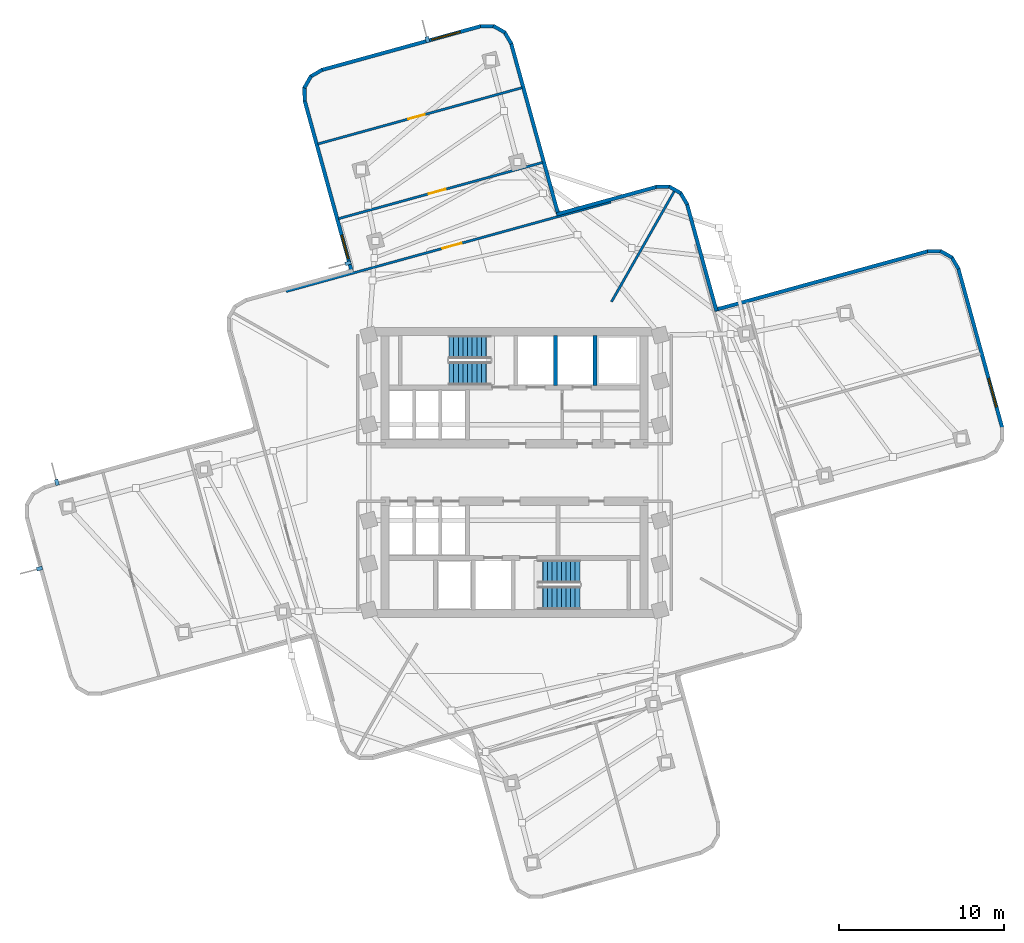
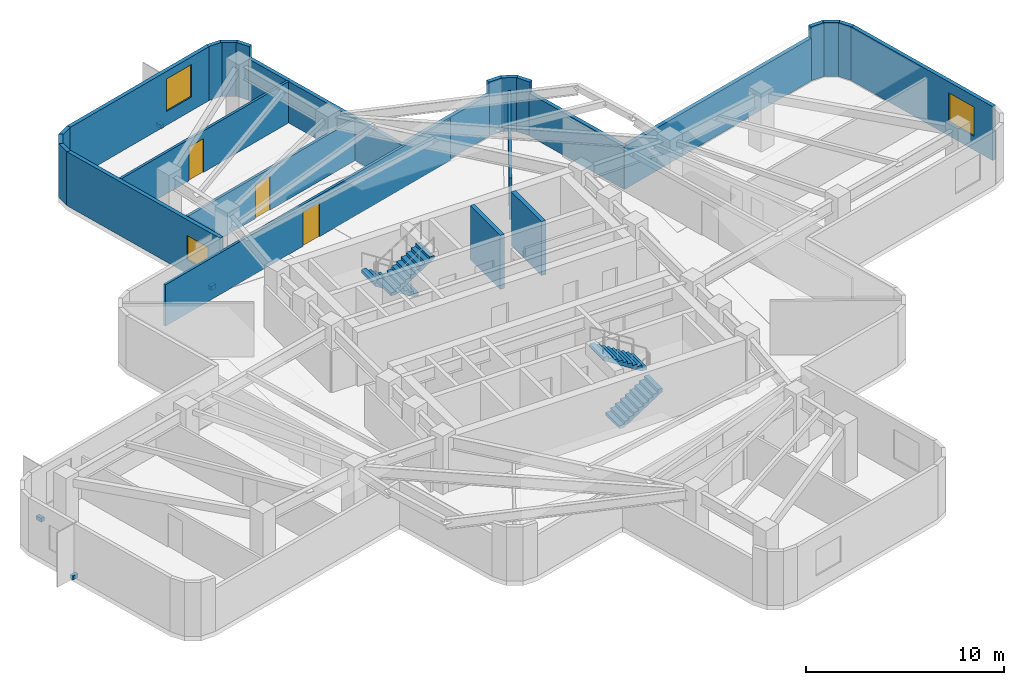
# One storey, part 5 of 8: 25 walls, 4 discrete accessories, 4 stair flights, 3 doors, 3 windows, 6 openings, 2 elements without a shape of their own.
"""IFC4 building model written with IfcOpenShell, lengths in metres."""

from ifc_helpers import new_model, si_unit, direction, frame, frame_2d, origin, origin_2d, place, context, subcontext, project, spatial, polyline, rectangle, outline, extrude, material, layer, layer_set, type_object, element, fill, aggregate, save


model = new_model("IFC4")

# Units and contexts
model_context = context("Model", 3, precision=1e-05, world=origin(), true_north=direction((0.0, 1.0)))
body_context = subcontext(model_context, "Body", "Model", "MODEL_VIEW")
ifc_project = project(units=[si_unit("LENGTHUNIT", "METRE"), si_unit("AREAUNIT", "SQUARE_METRE"), si_unit("VOLUMEUNIT", "CUBIC_METRE"), si_unit("PLANEANGLEUNIT", "RADIAN"), si_unit("MASSUNIT", "GRAM", prefix="KILO")], contexts=[model_context])

# Site, building, storey
site_placement = place(None, origin())
site = spatial("IfcSite", under=ifc_project, at=site_placement, CompositionType="ELEMENT")
building_placement = place(site_placement, origin())
building = spatial("IfcBuilding", under=site, at=building_placement, Name="Solmarez Civic Tower", CompositionType="ELEMENT")
storey_placement = place(building_placement, frame((0.0, 0.0, 137.8798828125)))
storey = spatial("IfcBuildingStorey", under=building, at=storey_placement, Name="L36", CompositionType="ELEMENT", Elevation=137.8798828125)

# Wall, opening, window
ifc_material_1 = material(Name="Precast concrete C40/50", Category="concrete")
ifc_layer_1 = layer(ifc_material_1, 0.219970703125)
ifc_layer_set_1 = layer_set([ifc_layer_1], Name="Precast concrete C40/50")
wall_type_1 = type_object("IfcWallType", Name="WALL-EXT-220", PredefinedType="SOLIDWALL", material=ifc_layer_set_1)
wall_1_placement = place(storey_placement, frame((-9.8759765625, 12.166015625, 0.0), z_axis=(0.0, 0.0, 1.0), x_axis=(-0.265506061674, 0.964109190504, 0.0)))
wall_1 = element("IfcWall", 1, at=wall_1_placement, inside=storey, type_object=wall_type_1, Name="L36 Exterior Precast Wall 20", PredefinedType="SOLIDWALL", context=body_context, shape_type="SweptSolid", body=[
    extrude(rectangle(XDim=10.858642578125, YDim=0.219970703125, at=frame_2d((5.42919921875, 0.0))), origin(), (0.0, 0.0, 1.0), 3.320068359375),
])
opening_1_placement = place(wall_1_placement, frame((0.85009765625, 0.0, 0.85009765625)))
opening_1 = element("IfcOpeningElement", 2, at=opening_1_placement, cuts=wall_1, Name="Opening W-14", PredefinedType="OPENING", context=body_context, shape_type="SweptSolid", body=[
    extrude(rectangle(XDim=1.5, YDim=1.5, at=frame_2d((0.75, 0.75))), frame((0.0, 0.119873046875, 0.0), z_axis=(0.0, -1.0, 0.0), x_axis=(1.0, 0.0, 0.0)), (0.0, 0.0, 1.0), 0.239990234375),
])
ifc_material_2 = material(Name="Solar Control Bronze-Tinted Insulating Glass", Category="glass")
window_type_1 = type_object("IfcWindowType", Name="WIN-1500X1500", PartitioningType="SINGLE_PANEL", PredefinedType="WINDOW", material=ifc_material_2)
window_1_placement = place(opening_1_placement, origin())
window_1 = element("IfcWindow", 3, at=window_1_placement, inside=storey, type_object=window_type_1, Name="L36 Exterior Facade Window 20", OverallHeight=1.5, OverallWidth=1.5, PartitioningType="SINGLE_PANEL", PredefinedType="WINDOW", context=body_context, shape_type="SweptSolid", body=[
    extrude(rectangle(XDim=1.5, YDim=1.5, at=frame_2d((0.75, 0.75))), frame((0.0, 0.030029296875, 0.0), z_axis=(0.0, -1.0, 0.0), x_axis=(1.0, 0.0, 0.0)), (0.0, 0.0, 1.0), 0.06005859375),
])
fill(opening_1, window_1)

# Walls
wall_2_placement = place(storey_placement, frame((-12.751953125, 22.5859375, 0.0), z_axis=(0.0, 0.0, 1.0), x_axis=(-0.007318305188, 0.999973220846, 0.0)))
element("IfcWall", 4, at=wall_2_placement, inside=storey, type_object=wall_type_1, Name="L36 Exterior Precast Wall 21", PredefinedType="SOLIDWALL", context=body_context, shape_type="SweptSolid", body=[
    extrude(rectangle(XDim=0.833984375, YDim=0.219970703125, at=frame_2d((0.4169921875, 0.0))), origin(), (0.0, 0.0, 1.0), 3.320068359375),
])
wall_3_placement = place(storey_placement, frame((-12.77001953125, 23.373046875, 0.0), z_axis=(0.0, 0.0, 1.0), x_axis=(0.493087743786, 0.869979584202, 0.0)))
element("IfcWall", 5, at=wall_3_placement, inside=storey, type_object=wall_type_1, Name="L36 Exterior Precast Wall 22", PredefinedType="SOLIDWALL", context=body_context, shape_type="SweptSolid", body=[
    extrude(rectangle(XDim=0.8193359375, YDim=0.219970703125, at=frame_2d((0.40966796875, 0.0))), origin(), (0.0, 0.0, 1.0), 3.320068359375),
])
wall_4_placement = place(storey_placement, frame((-12.39990234375, 24.051025390625, 0.0), z_axis=(0.0, 0.0, 1.0), x_axis=(0.862451814289, 0.506139178517, 0.0)))
element("IfcWall", 6, at=wall_4_placement, inside=storey, type_object=wall_type_1, Name="L36 Exterior Precast Wall 23", PredefinedType="SOLIDWALL", context=body_context, shape_type="SweptSolid", body=[
    extrude(rectangle(XDim=0.8359375, YDim=0.219970703125, at=frame_2d((0.41796875, 0.0))), origin(), (0.0, 0.0, 1.0), 3.320068359375),
])

# Wall, opening, window
wall_5_placement = place(storey_placement, frame((-11.72509765625, 24.4541015625, 0.0), z_axis=(0.0, 0.0, 1.0), x_axis=(0.964088658865, 0.265580605181, 0.0)))
wall_5 = element("IfcWall", 7, at=wall_5_placement, inside=storey, type_object=wall_type_1, Name="L36 Exterior Precast Wall 24", PredefinedType="SOLIDWALL", context=body_context, shape_type="SweptSolid", body=[
    extrude(rectangle(XDim=10.060546875, YDim=0.219970703125, at=frame_2d((5.0302734375, 0.0))), origin(), (0.0, 0.0, 1.0), 3.320068359375),
])
opening_2_placement = place(wall_5_placement, frame((6.947021484375, 0.0, 0.85009765625)))
opening_2 = element("IfcOpeningElement", 8, at=opening_2_placement, cuts=wall_5, Name="Opening W-04", PredefinedType="OPENING", context=body_context, shape_type="SweptSolid", body=[
    extrude(rectangle(XDim=1.800048828125, YDim=2.0, at=frame_2d((0.89990234375, 1.0))), frame((0.0, 0.119873046875, 0.0), z_axis=(0.0, -1.0, 0.0), x_axis=(1.0, 0.0, 0.0)), (0.0, 0.0, 1.0), 0.239990234375),
])
window_type_2 = type_object("IfcWindowType", Name="WIN-1800X2000", PartitioningType="SINGLE_PANEL", PredefinedType="WINDOW", material=ifc_material_2)
window_2_placement = place(opening_2_placement, origin())
window_2 = element("IfcWindow", 9, at=window_2_placement, inside=storey, type_object=window_type_2, Name="L36 Exterior Facade Window 24", OverallHeight=2.0, OverallWidth=1.800048828125, PartitioningType="SINGLE_PANEL", PredefinedType="WINDOW", context=body_context, shape_type="SweptSolid", body=[
    extrude(rectangle(XDim=1.800048828125, YDim=2.0, at=frame_2d((0.89990234375, 1.0))), frame((0.0, 0.030029296875, 0.0), z_axis=(0.0, -1.0, 0.0), x_axis=(1.0, 0.0, 0.0)), (0.0, 0.0, 1.0), 0.06005859375),
])
fill(opening_2, window_2)

# Walls
wall_6_placement = place(storey_placement, frame((-2.074951171875, 27.118896484375, 0.0), z_axis=(0.0, 0.0, 1.0), x_axis=(0.999973220846, 0.007318305188, 0.0)))
element("IfcWall", 10, at=wall_6_placement, inside=storey, type_object=wall_type_1, Name="L36 Exterior Precast Wall 25", PredefinedType="SOLIDWALL", context=body_context, shape_type="SweptSolid", body=[
    extrude(rectangle(XDim=0.833984375, YDim=0.219970703125, at=frame_2d((0.4169921875, 0.0))), origin(), (0.0, 0.0, 1.0), 3.320068359375),
])
wall_7_placement = place(storey_placement, frame((-1.2880859375, 27.136962890625, 0.0), z_axis=(0.0, 0.0, 1.0), x_axis=(0.87005199541, -0.492959963164, 0.0)))
element("IfcWall", 11, at=wall_7_placement, inside=storey, type_object=wall_type_1, Name="L36 Exterior Precast Wall 26", PredefinedType="SOLIDWALL", context=body_context, shape_type="SweptSolid", body=[
    extrude(rectangle(XDim=0.819580078125, YDim=0.219970703125, at=frame_2d((0.40966796875, 0.0))), origin(), (0.0, 0.0, 1.0), 3.320068359375),
])
wall_8_placement = place(storey_placement, frame((-0.610107421875, 26.76708984375, 0.0), z_axis=(0.0, 0.0, 1.0), x_axis=(0.506011715077, -0.862526604926, 0.0)))
element("IfcWall", 12, at=wall_8_placement, inside=storey, type_object=wall_type_1, Name="L36 Exterior Precast Wall 27", PredefinedType="SOLIDWALL", context=body_context, shape_type="SweptSolid", body=[
    extrude(rectangle(XDim=0.836181640625, YDim=0.219970703125, at=frame_2d((0.41796875, 0.0))), origin(), (0.0, 0.0, 1.0), 3.320068359375),
])
wall_9_placement = place(storey_placement, frame((-0.20703125, 26.092041015625, 0.0), z_axis=(0.0, 0.0, 1.0), x_axis=(0.265529084478, -0.964102849958, 0.0)))
element("IfcWall", 13, at=wall_9_placement, inside=storey, type_object=wall_type_1, Name="L36 Exterior Precast Wall 28", PredefinedType="SOLIDWALL", context=body_context, shape_type="SweptSolid", body=[
    extrude(rectangle(XDim=10.857666015625, YDim=0.219970703125, at=frame_2d((5.4287109375, 0.0))), origin(), (0.0, 0.0, 1.0), 2.550048828125),
])
wall_10_placement = place(storey_placement, frame((2.568115234375, 15.68603515625, 0.0), z_axis=(0.0, 0.0, 1.0), x_axis=(0.964094670911, 0.265558779784, 0.0)))
element("IfcWall", 14, at=wall_10_placement, inside=storey, type_object=wall_type_1, Name="L36 Exterior Precast Wall 31", PredefinedType="SOLIDWALL", context=body_context, shape_type="SweptSolid", body=[
    extrude(rectangle(XDim=6.318603515625, YDim=0.219970703125, at=frame_2d((3.1591796875, 0.0))), origin(), (0.0, 0.0, 1.0), 2.550048828125),
])
wall_11_placement = place(storey_placement, frame((8.611083984375, 17.35693359375, 0.0), z_axis=(0.0, 0.0, 1.0), x_axis=(0.999981148579, 0.006140235123, 0.0)))
element("IfcWall", 15, at=wall_11_placement, inside=storey, type_object=wall_type_1, Name="L36 Exterior Precast Wall 32", PredefinedType="SOLIDWALL", context=body_context, shape_type="SweptSolid", body=[
    extrude(rectangle(XDim=0.8349609375, YDim=0.219970703125, at=frame_2d((0.41748046875, 0.0))), origin(), (0.0, 0.0, 1.0), 3.320068359375),
])
wall_12_placement = place(storey_placement, frame((9.39892578125, 17.3740234375, 0.0), z_axis=(0.0, 0.0, 1.0), x_axis=(0.87005199541, -0.492959963164, 0.0)))
element("IfcWall", 16, at=wall_12_placement, inside=storey, type_object=wall_type_1, Name="L36 Exterior Precast Wall 33", PredefinedType="SOLIDWALL", context=body_context, shape_type="SweptSolid", body=[
    extrude(rectangle(XDim=0.819580078125, YDim=0.219970703125, at=frame_2d((0.40966796875, 0.0))), origin(), (0.0, 0.0, 1.0), 3.320068359375),
])
wall_13_placement = place(storey_placement, frame((10.076904296875, 17.00390625, 0.0), z_axis=(0.0, 0.0, 1.0), x_axis=(0.505779557172, -0.862662761192, 0.0)))
element("IfcWall", 17, at=wall_13_placement, inside=storey, type_object=wall_type_1, Name="L36 Exterior Precast Wall 34", PredefinedType="SOLIDWALL", context=body_context, shape_type="SweptSolid", body=[
    extrude(rectangle(XDim=0.83447265625, YDim=0.219970703125, at=frame_2d((0.417236328125, 0.0))), origin(), (0.0, 0.0, 1.0), 3.320068359375),
])
wall_14_placement = place(storey_placement, frame((10.47900390625, 16.330078125, 0.0), z_axis=(0.0, 0.0, 1.0), x_axis=(0.265567840793, -0.964092175021, 0.0)))
element("IfcWall", 18, at=wall_14_placement, inside=storey, type_object=wall_type_1, Name="L36 Exterior Precast Wall 35", PredefinedType="SOLIDWALL", context=body_context, shape_type="SweptSolid", body=[
    extrude(rectangle(XDim=6.7587890625, YDim=0.219970703125, at=frame_2d((3.37939453125, 0.0))), origin(), (0.0, 0.0, 1.0), 2.6240234375),
])
wall_15_placement = place(storey_placement, frame((12.166015625, 9.8759765625, 0.0), z_axis=(0.0, 0.0, 1.0), x_axis=(0.964099811745, 0.2655401156, 0.0)))
element("IfcWall", 19, at=wall_15_placement, inside=storey, type_object=wall_type_1, Name="L36 Exterior Precast Wall 38", PredefinedType="SOLIDWALL", context=body_context, shape_type="SweptSolid", body=[
    extrude(rectangle(XDim=13.459228515625, YDim=0.219970703125, at=frame_2d((6.7294921875, 0.0))), origin(), (0.0, 0.0, 1.0), 2.6240234375),
])
wall_16_placement = place(storey_placement, frame((25.093017578125, 13.443115234375, 0.0), z_axis=(0.0, 0.0, 1.0), x_axis=(0.999982861094, 0.005854700592, 0.0)))
element("IfcWall", 20, at=wall_16_placement, inside=storey, type_object=wall_type_1, Name="L36 Exterior Precast Wall 39", PredefinedType="SOLIDWALL", context=body_context, shape_type="SweptSolid", body=[
    extrude(rectangle(XDim=0.833984375, YDim=0.219970703125, at=frame_2d((0.4169921875, 0.0))), origin(), (0.0, 0.0, 1.0), 3.320068359375),
])
wall_17_placement = place(storey_placement, frame((25.8798828125, 13.4599609375, 0.0), z_axis=(0.0, 0.0, 1.0), x_axis=(0.87005199541, -0.492959963164, 0.0)))
element("IfcWall", 21, at=wall_17_placement, inside=storey, type_object=wall_type_1, Name="L36 Exterior Precast Wall 40", PredefinedType="SOLIDWALL", context=body_context, shape_type="SweptSolid", body=[
    extrude(rectangle(XDim=0.819580078125, YDim=0.219970703125, at=frame_2d((0.40966796875, 0.0))), origin(), (0.0, 0.0, 1.0), 3.320068359375),
])
wall_18_placement = place(storey_placement, frame((26.55810546875, 13.090087890625, 0.0), z_axis=(0.0, 0.0, 1.0), x_axis=(0.506432207312, -0.862279780232, 0.0)))
element("IfcWall", 22, at=wall_18_placement, inside=storey, type_object=wall_type_1, Name="L36 Exterior Precast Wall 41", PredefinedType="SOLIDWALL", context=body_context, shape_type="SweptSolid", body=[
    extrude(rectangle(XDim=0.8349609375, YDim=0.219970703125, at=frame_2d((0.41748046875, 0.0))), origin(), (0.0, 0.0, 1.0), 3.320068359375),
])

# Wall, opening, window
wall_19_placement = place(storey_placement, frame((26.9609375, 12.416015625, 0.0), z_axis=(0.0, 0.0, 1.0), x_axis=(0.265584520086, -0.964087580405, 0.0)))
wall_19 = element("IfcWall", 23, at=wall_19_placement, inside=storey, type_object=wall_type_1, Name="L36 Exterior Precast Wall 42", PredefinedType="SOLIDWALL", context=body_context, shape_type="SweptSolid", body=[
    extrude(rectangle(XDim=10.061279296875, YDim=0.219970703125, at=frame_2d((5.03076171875, 0.0))), origin(), (0.0, 0.0, 1.0), 3.320068359375),
])
opening_3_placement = place(wall_19_placement, frame((6.947998046875, 0.0, 0.85009765625)))
opening_3 = element("IfcOpeningElement", 24, at=opening_3_placement, cuts=wall_19, Name="Opening W-08", PredefinedType="OPENING", context=body_context, shape_type="SweptSolid", body=[
    extrude(rectangle(XDim=1.800048828125, YDim=1.800048828125, at=frame_2d((0.89990234375, 0.89990234375))), frame((0.0, 0.119873046875, 0.0), z_axis=(0.0, -1.0, 0.0), x_axis=(1.0, 0.0, 0.0)), (0.0, 0.0, 1.0), 0.239990234375),
])
window_type_3 = type_object("IfcWindowType", Name="WIN-1800X1800", PartitioningType="SINGLE_PANEL", PredefinedType="WINDOW", material=ifc_material_2)
window_3_placement = place(opening_3_placement, origin())
window_3 = element("IfcWindow", 25, at=window_3_placement, inside=storey, type_object=window_type_3, Name="L36 Exterior Facade Window 42", OverallHeight=1.800048828125, OverallWidth=1.800048828125, PartitioningType="SINGLE_PANEL", PredefinedType="WINDOW", context=body_context, shape_type="SweptSolid", body=[
    extrude(rectangle(XDim=1.800048828125, YDim=1.800048828125, at=frame_2d((0.89990234375, 0.89990234375))), frame((0.0, 0.030029296875, 0.0), z_axis=(0.0, -1.0, 0.0), x_axis=(1.0, 0.0, 0.0)), (0.0, 0.0, 1.0), 0.06005859375),
])
fill(opening_3, window_3)

# Wall
ifc_material_3 = material(Name="Gypsum Board Acoustic Steel-Stud Partition", Category="steel")
ifc_layer_2 = layer(ifc_material_3, 0.14501953125)
ifc_layer_set_2 = layer_set([ifc_layer_2], Name="Gypsum Board Acoustic Steel-Stud Partition")
wall_type_2 = type_object("IfcWallType", Name="WALL-INT-PART-150", PredefinedType="PARTITIONING", material=ifc_layer_set_2)
wall_20_placement = place(storey_placement, frame((5.89697265625, 10.3798828125, 0.0), z_axis=(0.0, 0.0, 1.0), x_axis=(0.49389771586, 0.869520009125, 0.0)))
element("IfcWall", 26, at=wall_20_placement, inside=storey, type_object=wall_type_2, Name="L36 Interior Partition PT-L36-QDIV-1", PredefinedType="PARTITIONING", context=body_context, shape_type="SweptSolid", body=[
    extrude(rectangle(XDim=7.736572265625, YDim=0.14501953125, at=frame_2d((3.8681640625, 0.0))), origin(), (0.0, 0.0, 1.0), 2.550048828125),
])

# Wall, opening, door
wall_21_placement = place(storey_placement, frame((-13.87890625, 10.9990234375, 0.0), z_axis=(0.0, 0.0, 1.0), x_axis=(0.964088031915, 0.26558288107, 0.0)))
wall_21 = element("IfcWall", 27, at=wall_21_placement, inside=storey, type_object=wall_type_2, Name="L36 Interior Partition PT-L36-N-ENT", PredefinedType="PARTITIONING", context=body_context, shape_type="SweptSolid", body=[
    extrude(rectangle(XDim=20.479248046875, YDim=0.14501953125, at=frame_2d((10.23974609375, 0.0))), origin(), (0.0, 0.0, 1.0), 2.550048828125),
])
opening_4_placement = place(wall_21_placement, frame((9.860107421875, 0.0, 0.0)))
opening_4 = element("IfcOpeningElement", 28, at=opening_4_placement, cuts=wall_21, Name="Opening D-11", PredefinedType="OPENING", context=body_context, shape_type="SweptSolid", body=[
    extrude(rectangle(XDim=1.199951171875, YDim=2.10009765625, at=frame_2d((0.60009765625, 1.050048828125))), frame((0.0, 0.08251953125, 0.0), z_axis=(0.0, -1.0, 0.0), x_axis=(1.0, 0.0, 0.0)), (0.0, 0.0, 1.0), 0.1650390625),
])
ifc_material_4 = material(Name="Glazed-Vision Acoustic Chamber Door", Category="wood")
door_type_1 = type_object("IfcDoorType", Name="DOOR-INT-1200", OperationType="NOTDEFINED", PredefinedType="DOOR", material=ifc_material_4)
door_1_placement = place(opening_4_placement, origin())
door_1 = element("IfcDoor", 29, at=door_1_placement, inside=storey, type_object=door_type_1, Name="L36 Civic Training Classroom First North Door", OperationType="SINGLE_SWING_LEFT", OverallHeight=2.10009765625, OverallWidth=1.199951171875, PredefinedType="DOOR", context=body_context, shape_type="SweptSolid", body=[
    extrude(rectangle(XDim=1.199951171875, YDim=2.10009765625, at=frame_2d((0.60009765625, 1.050048828125))), frame((0.0, 0.02490234375, 0.0), z_axis=(0.0, -1.0, 0.0), x_axis=(1.0, 0.0, 0.0)), (0.0, 0.0, 1.0), 0.050048828125),
])
fill(opening_4, door_1)

wall_22_placement = place(storey_placement, frame((-10.695068359375, 15.423095703125, 0.0), z_axis=(0.0, 0.0, 1.0), x_axis=(0.96409048194, 0.265573987115, 0.0)))
wall_22 = element("IfcWall", 30, at=wall_22_placement, inside=storey, type_object=wall_type_2, Name="L36 Interior Partition PT-L36-N-SC1", PredefinedType="PARTITIONING", context=body_context, shape_type="SweptSolid", body=[
    extrude(rectangle(XDim=12.8701171875, YDim=0.14501953125, at=frame_2d((6.43505859375, 0.0))), origin(), (0.0, 0.0, 1.0), 2.550048828125),
])
opening_5_placement = place(wall_22_placement, frame((5.68994140625, 0.0, 0.0)))
opening_5 = element("IfcOpeningElement", 31, at=opening_5_placement, cuts=wall_22, Name="Opening D-13", PredefinedType="OPENING", context=body_context, shape_type="SweptSolid", body=[
    extrude(rectangle(XDim=1.050048828125, YDim=2.080078125, at=frame_2d((0.52490234375, 1.0400390625))), frame((0.0, 0.08251953125, 0.0), z_axis=(0.0, -1.0, 0.0), x_axis=(1.0, 0.0, 0.0)), (0.0, 0.0, 1.0), 0.1650390625),
])
ifc_material_5 = material(Name="Timber Directorate Office Door", Category="wood")
door_type_2 = type_object("IfcDoorType", Name="DOOR-INT-1050", OperationType="NOTDEFINED", PredefinedType="DOOR", material=ifc_material_5)
door_2_placement = place(opening_5_placement, origin())
door_2 = element("IfcDoor", 32, at=door_2_placement, inside=storey, type_object=door_type_2, Name="L36 Delegates Sitting Lounge North Door", OperationType="SINGLE_SWING_LEFT", OverallHeight=2.080078125, OverallWidth=1.050048828125, PredefinedType="DOOR", context=body_context, shape_type="SweptSolid", body=[
    extrude(rectangle(XDim=1.050048828125, YDim=2.080078125, at=frame_2d((0.52490234375, 1.0400390625))), frame((0.0, 0.02490234375, 0.0), z_axis=(0.0, -1.0, 0.0), x_axis=(1.0, 0.0, 0.0)), (0.0, 0.0, 1.0), 0.050048828125),
])
fill(opening_5, door_2)

wall_23_placement = place(storey_placement, frame((-11.946044921875, 19.964111328125, 0.0), z_axis=(0.0, 0.0, 1.0), x_axis=(0.96409048194, 0.265573987115, 0.0)))
wall_23 = element("IfcWall", 33, at=wall_23_placement, inside=storey, type_object=wall_type_2, Name="L36 Interior Partition PT-L36-N-SC2", PredefinedType="PARTITIONING", context=body_context, shape_type="SweptSolid", body=[
    extrude(rectangle(XDim=12.8701171875, YDim=0.14501953125, at=frame_2d((6.43505859375, 0.0))), origin(), (0.0, 0.0, 1.0), 2.550048828125),
])
opening_6_placement = place(wall_23_placement, frame((5.68994140625, 0.0, 0.0)))
opening_6 = element("IfcOpeningElement", 34, at=opening_6_placement, cuts=wall_23, Name="Opening D-13", PredefinedType="OPENING", context=body_context, shape_type="SweptSolid", body=[
    extrude(rectangle(XDim=1.050048828125, YDim=2.080078125, at=frame_2d((0.52490234375, 1.0400390625))), frame((0.0, 0.08251953125, 0.0), z_axis=(0.0, -1.0, 0.0), x_axis=(1.0, 0.0, 0.0)), (0.0, 0.0, 1.0), 0.1650390625),
])
door_3_placement = place(opening_6_placement, origin())
door_3 = element("IfcDoor", 35, at=door_3_placement, inside=storey, type_object=door_type_2, Name="L36 Legislative Seminar Room North Door", OperationType="SINGLE_SWING_RIGHT", OverallHeight=2.080078125, OverallWidth=1.050048828125, PredefinedType="DOOR", context=body_context, shape_type="SweptSolid", body=[
    extrude(rectangle(XDim=1.050048828125, YDim=2.080078125, at=frame_2d((0.52490234375, 1.0400390625))), frame((0.0, 0.02490234375, 0.0), z_axis=(0.0, -1.0, 0.0), x_axis=(1.0, 0.0, 0.0)), (0.0, 0.0, 1.0), 0.050048828125),
])
fill(opening_6, door_3)

# Walls
ifc_material_6 = material(Name="Concrete C50/60", Category="concrete")
ifc_layer_3 = layer(ifc_material_6, 0.300048828125)
ifc_layer_set_3 = layer_set([ifc_layer_3], Name="Concrete C50/60")
wall_type_3 = type_object("IfcWallType", Name="WALL-STR-300", PredefinedType="SOLIDWALL", material=ifc_layer_set_3)
for number, where, z_axis, x_axis, name in (
    (36, (2.5, 5.300048828125, 0.0), (0.0, 0.0, 1.0), (0.0, 1.0, 0.0), "L36 Split-Core Structural Wall SHW-N2-L36"),
    (37, (4.89990234375, 5.300048828125, 0.0), (0.0, 0.0, 1.0), (0.0, 1.0, 0.0), "L36 Split-Core Structural Wall SHW-N3-L36"),
):
    element("IfcWall", number, at=place(storey_placement, frame(where, z_axis=z_axis, x_axis=x_axis)), inside=storey, type_object=wall_type_3, Name=name, PredefinedType="SOLIDWALL", context=body_context, shape_type="SweptSolid", body=[
        extrude(rectangle(XDim=3.0400390625, YDim=0.25, at=frame_2d((1.52001953125, 0.0))), origin(), (0.0, 0.0, 1.0), 3.320068359375),
    ])

# Stair, stair flights
stair_type = type_object("IfcStairType", Name="STAIR-DOGLEG-140W-20R-1800", PredefinedType="HALF_TURN_STAIR", material=ifc_material_6)
stair_1_placement = place(storey_placement, origin())
stair_1 = element("IfcStair", 38, at=stair_1_placement, inside=storey, type_object=stair_type, Name="L36 North Core Protected Exit Stair ST-1", PredefinedType="HALF_TURN_STAIR")
stair_flight_type = type_object("IfcStairFlightType", Name="FLIGHT-DOGLEG-140W-10R-1800", PredefinedType="STRAIGHT", material=ifc_material_6)
stair_flight_1_placement = place(storey_placement, frame((-1.449951171875, 7.6201171875, 0.0), z_axis=(0.0, 0.0, 1.0), x_axis=(-1.0, 0.0, 0.0)))
stair_flight_1 = element("IfcStairFlight", 39, at=stair_flight_1_placement, type_object=stair_flight_type, Name="ST-1 flight 1", NumberOfRisers=10, NumberOfTreads=9, PredefinedType="STRAIGHT", RiserHeight=0.18, TreadLength=0.28, context=body_context, shape_type="SweptSolid", body=[
    extrude(outline(polyline([(0.0, 0.0), (0.0, 0.179931640625), (0.280029296875, 0.179931640625), (0.280029296875, 0.360107421875), (0.56005859375, 0.360107421875), (0.56005859375, 0.5400390625), (0.840087890625, 0.5400390625), (0.840087890625, 0.719970703125), (1.1201171875, 0.719970703125), (1.1201171875, 0.89990234375), (1.39990234375, 0.89990234375), (1.39990234375, 1.080078125), (1.679931640625, 1.080078125), (1.679931640625, 1.260009765625), (1.9599609375, 1.260009765625), (1.9599609375, 1.43994140625), (2.239990234375, 1.43994140625), (2.239990234375, 1.6201171875), (2.52001953125, 1.6201171875), (2.52001953125, 1.800048828125), (2.52001953125, 1.429931640625), (0.295654296875, 0.0), (0.0, 0.0)])), frame((0.0, 0.699951171875, 0.0), z_axis=(0.0, -1.0, 0.0), x_axis=(1.0, 0.0, 0.0)), (0.0, 0.0, 1.0), 1.39990234375),
])
stair_flight_2_placement = place(storey_placement, frame((-3.969970703125, 6.02001953125, 1.800048828125), z_axis=(0.0, 0.0, 1.0), x_axis=(1.0, 0.0, 0.0)))
stair_flight_2 = element("IfcStairFlight", 40, at=stair_flight_2_placement, type_object=stair_flight_type, Name="ST-1 flight 2", NumberOfRisers=10, NumberOfTreads=9, PredefinedType="STRAIGHT", RiserHeight=0.18, TreadLength=0.28, context=body_context, shape_type="SweptSolid", body=[
    extrude(outline(polyline([(0.0, 0.0), (0.0, 0.179931640625), (0.280029296875, 0.179931640625), (0.280029296875, 0.360107421875), (0.56005859375, 0.360107421875), (0.56005859375, 0.5400390625), (0.840087890625, 0.5400390625), (0.840087890625, 0.719970703125), (1.1201171875, 0.719970703125), (1.1201171875, 0.89990234375), (1.39990234375, 0.89990234375), (1.39990234375, 1.080078125), (1.679931640625, 1.080078125), (1.679931640625, 1.260009765625), (1.9599609375, 1.260009765625), (1.9599609375, 1.43994140625), (2.239990234375, 1.43994140625), (2.239990234375, 1.6201171875), (2.52001953125, 1.6201171875), (2.52001953125, 1.800048828125), (2.52001953125, 1.429931640625), (0.295654296875, 0.0), (0.0, 0.0)])), frame((0.0, 0.699951171875, 0.0), z_axis=(0.0, -1.0, 0.0), x_axis=(1.0, 0.0, 0.0)), (0.0, 0.0, 1.0), 1.39990234375),
])
aggregate(stair_1, [stair_flight_1, stair_flight_2])

stair_2_placement = place(storey_placement, origin())
stair_2 = element("IfcStair", 41, at=stair_2_placement, inside=storey, type_object=stair_type, Name="L36 South Core Protected Exit Stair ST-2", PredefinedType="HALF_TURN_STAIR")
stair_flight_3_placement = place(storey_placement, frame((1.449951171875, -7.6201171875, 0.0), z_axis=(0.0, 0.0, 1.0), x_axis=(1.0, 0.0, 0.0)))
stair_flight_3 = element("IfcStairFlight", 42, at=stair_flight_3_placement, type_object=stair_flight_type, Name="ST-2 flight 1", NumberOfRisers=10, NumberOfTreads=9, PredefinedType="STRAIGHT", RiserHeight=0.18, TreadLength=0.28, context=body_context, shape_type="SweptSolid", body=[
    extrude(outline(polyline([(0.0, 0.0), (0.0, 0.179931640625), (0.280029296875, 0.179931640625), (0.280029296875, 0.360107421875), (0.56005859375, 0.360107421875), (0.56005859375, 0.5400390625), (0.840087890625, 0.5400390625), (0.840087890625, 0.719970703125), (1.1201171875, 0.719970703125), (1.1201171875, 0.89990234375), (1.39990234375, 0.89990234375), (1.39990234375, 1.080078125), (1.679931640625, 1.080078125), (1.679931640625, 1.260009765625), (1.9599609375, 1.260009765625), (1.9599609375, 1.43994140625), (2.239990234375, 1.43994140625), (2.239990234375, 1.6201171875), (2.52001953125, 1.6201171875), (2.52001953125, 1.800048828125), (2.52001953125, 1.429931640625), (0.295654296875, 0.0), (0.0, 0.0)])), frame((0.0, 0.699951171875, 0.0), z_axis=(0.0, -1.0, 0.0), x_axis=(1.0, 0.0, 0.0)), (0.0, 0.0, 1.0), 1.39990234375),
])
stair_flight_4_placement = place(storey_placement, frame((3.969970703125, -6.02001953125, 1.800048828125), z_axis=(0.0, 0.0, 1.0), x_axis=(-1.0, 0.0, 0.0)))
stair_flight_4 = element("IfcStairFlight", 43, at=stair_flight_4_placement, type_object=stair_flight_type, Name="ST-2 flight 2", NumberOfRisers=10, NumberOfTreads=9, PredefinedType="STRAIGHT", RiserHeight=0.18, TreadLength=0.28, context=body_context, shape_type="SweptSolid", body=[
    extrude(outline(polyline([(0.0, 0.0), (0.0, 0.179931640625), (0.280029296875, 0.179931640625), (0.280029296875, 0.360107421875), (0.56005859375, 0.360107421875), (0.56005859375, 0.5400390625), (0.840087890625, 0.5400390625), (0.840087890625, 0.719970703125), (1.1201171875, 0.719970703125), (1.1201171875, 0.89990234375), (1.39990234375, 0.89990234375), (1.39990234375, 1.080078125), (1.679931640625, 1.080078125), (1.679931640625, 1.260009765625), (1.9599609375, 1.260009765625), (1.9599609375, 1.43994140625), (2.239990234375, 1.43994140625), (2.239990234375, 1.6201171875), (2.52001953125, 1.6201171875), (2.52001953125, 1.800048828125), (2.52001953125, 1.429931640625), (0.295654296875, 0.0), (0.0, 0.0)])), frame((0.0, 0.699951171875, 0.0), z_axis=(0.0, -1.0, 0.0), x_axis=(1.0, 0.0, 0.0)), (0.0, 0.0, 1.0), 1.39990234375),
])
aggregate(stair_2, [stair_flight_3, stair_flight_4])

# Discrete accessories
ifc_material_7 = material(Name="Stainless Steel Grade 1.4401", Category="steel")
discrete_accessory_type = type_object("IfcDiscreteAccessoryType", Name="BRACKET-SS-FIN", PredefinedType="BRACKET", material=ifc_material_7)
for number, where, z_axis, x_axis, name in (
    (44, (-28.85595703125, -5.8349609375, -0.06005859375), (0.0, 0.0, 1.0), (-0.964110842164, -0.265500064071, 0.0), "L36 Stainless Fin Support Bracket FIN-L36-01"),
    (45, (-27.801025390625, -0.593994140625, -0.06005859375), (0.0, 0.0, 1.0), (-0.265494348689, 0.964112416067, 0.0), "L36 Stainless Fin Support Bracket FIN-L36-02"),
    (46, (-10.112060546875, 12.722900390625, -0.06005859375), (0.0, 0.0, 1.0), (-0.964110160999, -0.265502537575, 0.0), "L36 Stainless Fin Support Bracket FIN-L36-03"),
    (47, (-5.2900390625, 26.30908203125, -0.06005859375), (0.0, 0.0, 1.0), (-0.265525634703, 0.964103800073, 0.0), "L36 Stainless Fin Support Bracket FIN-L36-04"),
):
    element("IfcDiscreteAccessory", number, at=place(storey_placement, frame(where, z_axis=z_axis, x_axis=x_axis)), inside=storey, type_object=discrete_accessory_type, Name=name, PredefinedType="BRACKET", context=body_context, shape_type="SweptSolid", body=[
        extrude(rectangle(XDim=0.360107421875, YDim=0.219970703125, at=origin_2d()), origin(), (0.0, 0.0, 1.0), 0.239990234375),
    ])

save(model, "model.ifc")
